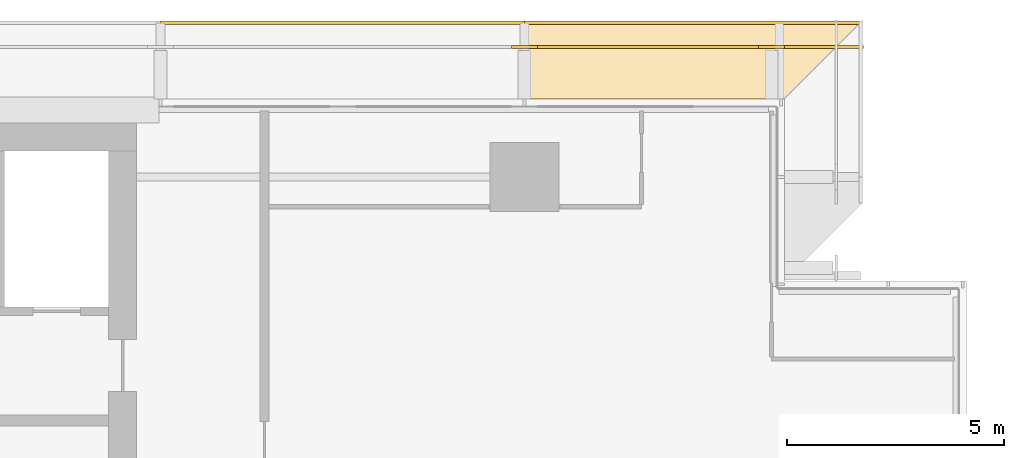
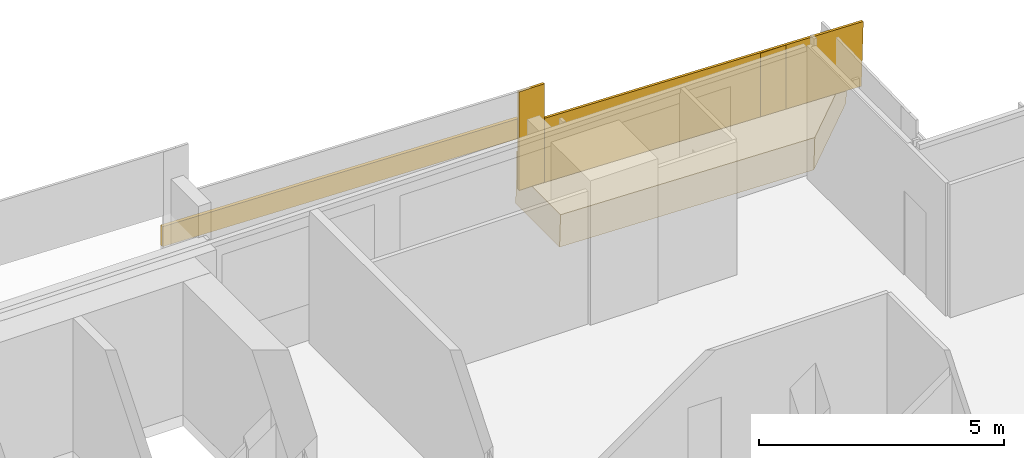
# One storey, part 27 of 29: 3 coverings, 3 railings.
"""IFC4 building model written with IfcOpenShell, lengths in metres."""

from ifc_helpers import new_model, si_unit, direction, frame, origin, origin_2d, place, context, subcontext, project, spatial, polyline, rectangle, outline, extrude, material, layer, layer_set, type_object, element, save


model = new_model("IFC4")

# Units and contexts
model_context = context("Model", 3, precision=1e-05, world=origin(), true_north=direction((0.0, 1.0)))
body_context = subcontext(model_context, "Body", "Model", "MODEL_VIEW")
ifc_project = project(units=[si_unit("LENGTHUNIT", "METRE"), si_unit("AREAUNIT", "SQUARE_METRE"), si_unit("VOLUMEUNIT", "CUBIC_METRE"), si_unit("PLANEANGLEUNIT", "RADIAN"), si_unit("MASSUNIT", "GRAM", prefix="KILO")], contexts=[model_context])

# Site, building, storey
site_placement = place(None, origin())
site = spatial("IfcSite", under=ifc_project, at=site_placement, CompositionType="ELEMENT")
building_placement = place(site_placement, origin())
building = spatial("IfcBuilding", under=site, at=building_placement, Name="Saffron Gate Tower", CompositionType="ELEMENT")
storey_placement = place(building_placement, frame((0.0, 0.0, 227.10009765625)))
storey = spatial("IfcBuildingStorey", under=building, at=storey_placement, Name="L55", CompositionType="ELEMENT", Elevation=227.10009765625)

# Coverings
ifc_material = material(Name="Timber, thermally modified ash", Category="wood")
ifc_layer_1 = layer(ifc_material, 0.800048828125)
ifc_layer_set_1 = layer_set([ifc_layer_1], Name="LD1 ledge timber")
covering_type_1 = type_object("IfcCoveringType", Name="LD1 ledge timber", PredefinedType="CLADDING", material=ifc_layer_set_1)
covering_1_placement = place(storey_placement, frame((123.0, 75.60009765625, 0.72900390625), z_axis=(0.028807146299, 3.5032058e-05, 0.99958498743), x_axis=(-0.999584988043, 3.68e-10, 0.028807146316)))
element("IfcCovering", 1, at=covering_1_placement, inside=storey, type_object=covering_type_1, Name="LEDGE", PredefinedType="CLADDING", context=body_context, shape_type="SweptSolid", body=[
    extrude(outline(polyline([(0.0, 0.0), (6.0024892885105, 0.0), (6.002489289172793, -1.7998046863955992), (-1.800799813548424, -1.799804691475862), (0.0, 0.0)])), origin(), (0.0, 0.0, -1.0), 0.800048828125),
])
ifc_layer_2 = layer(ifc_material, 0.080078125)
ifc_layer_set_2 = layer_set([ifc_layer_2], Name="LD2 ledge planter trough")
covering_type_2 = type_object("IfcCoveringType", Name="LD2 ledge planter trough", PredefinedType="CLADDING", material=ifc_layer_set_2)
covering_2_placement = place(storey_placement, frame((124.800048828125, 77.39990234375, 0.677001953125), z_axis=(0.0, 1.0, 0.0), x_axis=(-0.999584755248, 0.0, 0.028815222999)))
element("IfcCovering", 2, at=covering_2_placement, inside=storey, type_object=covering_type_2, Name="LEDGE planter trough", PredefinedType="CLADDING", context=body_context, shape_type="SweptSolid", body=[
    extrude(outline(polyline([(0.0, 0.0), (7.803289102975944, 0.0), (7.8176967144752565, 0.4997923776238338), (0.014407611499312996, 0.4997923776238338), (0.0, 0.0)])), origin(), (0.0, 0.0, -1.0), 0.080078125),
])
covering_3_placement = place(storey_placement, frame((117.0, 77.39990234375, 1.75927734375), z_axis=(0.0, 1.0, 0.0), x_axis=(-0.999585448184, 0.0, 0.028791175352)))
element("IfcCovering", 3, at=covering_3_placement, inside=storey, type_object=covering_type_2, Name="LEDGE planter trough", PredefinedType="CLADDING", context=body_context, shape_type="SweptSolid", body=[
    extrude(outline(polyline([(0.0, 0.0), (8.403385982666892, 0.0), (8.417781570342743, 0.49979272409216496), (0.014395587675851172, 0.4997927240921649), (0.0, 0.0)])), origin(), (0.0, 0.0, -1.0), 0.080078125),
])

# Railings
railing_type = type_object("IfcRailingType", Name="LG1 ledge balustrade", PredefinedType="BALUSTRADE", material=ifc_material)
railing_1_placement = place(storey_placement, frame((124.800048828125, 76.800048828125, 0.677001953125)))
element("IfcRailing", 4, at=railing_1_placement, inside=storey, type_object=railing_type, Name="LEDGE BALUSTRADE", PredefinedType="BALUSTRADE", context=body_context, shape_type="SweptSolid", body=[
    extrude(rectangle(XDim=0.06005859375, YDim=1.60009765625, at=origin_2d()), frame((0.0, 0.0, 0.800048828125), z_axis=(-0.999584755248, 0.0, 0.028815222999), x_axis=(0.0, -1.0, 0.0)), (0.0, 0.0, 1.0), 7.80322265625),
])
railing_2_placement = place(storey_placement, frame((123.0, 76.800048828125, 0.4716796875)))
element("IfcRailing", 5, at=railing_2_placement, inside=storey, type_object=railing_type, Name="LEDGE BALUSTRADE", PredefinedType="BALUSTRADE", context=body_context, shape_type="SweptSolid", body=[
    extrude(rectangle(XDim=0.06005859375, YDim=1.857177734375, at=origin_2d()), frame((0.0, 0.0, 0.9287109375), z_axis=(-1.0, 0.0, 0.0), x_axis=(0.0, -1.0, 0.0)), (0.0, 0.0, 1.0), 0.60009765625),
])
railing_3_placement = place(storey_placement, frame((117.300048828125, 76.800048828125, 0.90185546875)))
element("IfcRailing", 6, at=railing_3_placement, inside=storey, type_object=railing_type, Name="LEDGE BALUSTRADE", PredefinedType="BALUSTRADE", context=body_context, shape_type="SweptSolid", body=[
    extrude(rectangle(XDim=0.06005859375, YDim=2.45751953125, at=origin_2d()), frame((0.0, 0.0, 1.228759765625), z_axis=(-1.0, 0.0, 0.0), x_axis=(0.0, -1.0, 0.0)), (0.0, 0.0, 1.0), 0.60009765625),
])

save(model, "model.ifc")
